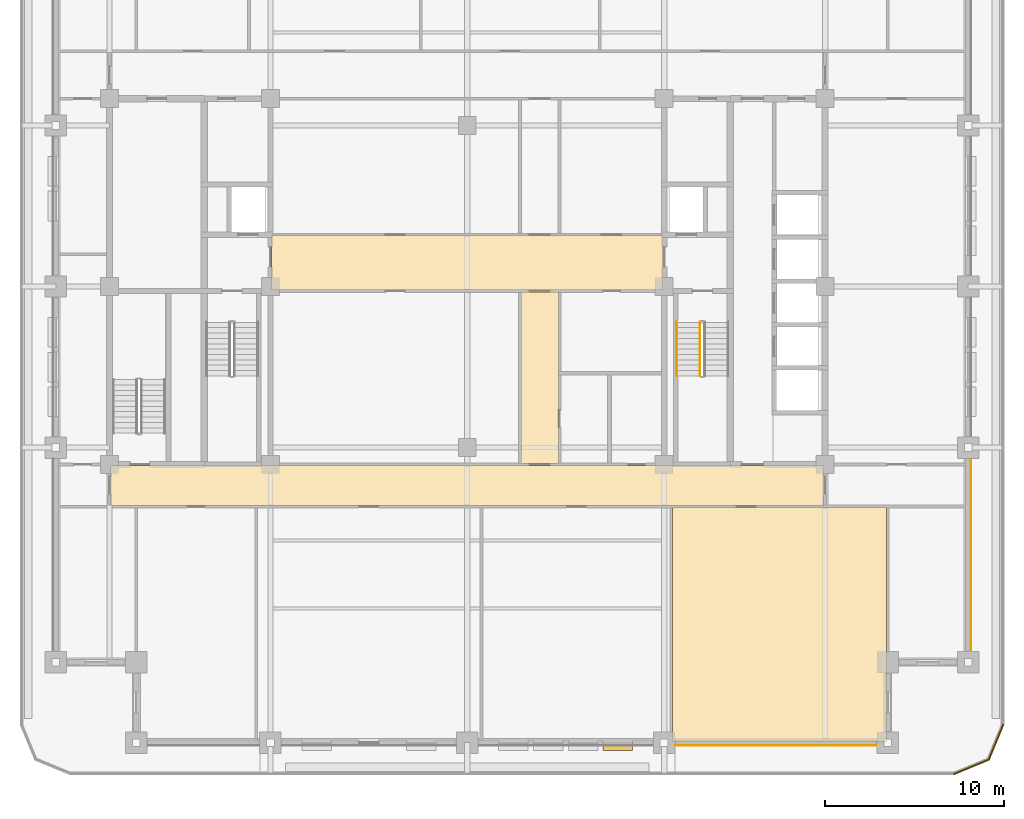
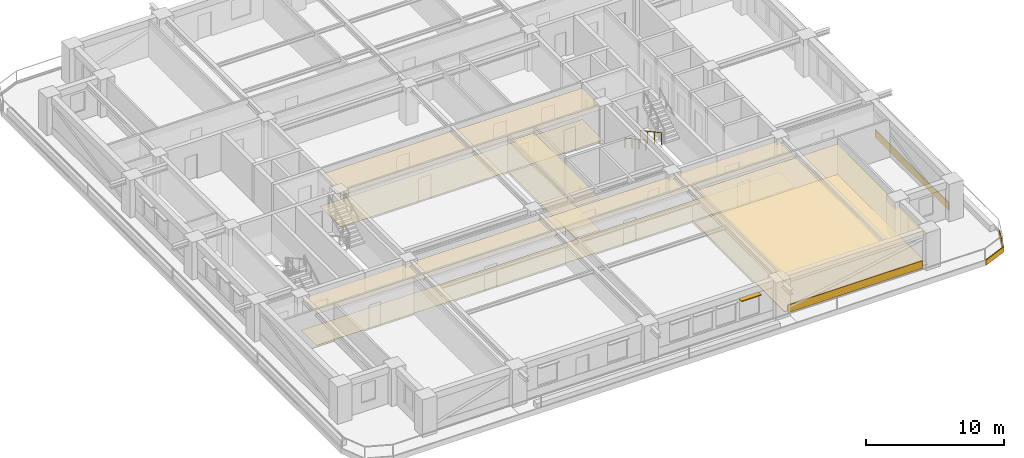
# One storey, part 11 of 13: 12 coverings, 2 railings, 1 shading device.
"""IFC4 building model written with IfcOpenShell, lengths in metres."""

import ifcopenshell
import ifcopenshell.guid

model = None  # the IFC model being written
_history = None  # IfcOwnerHistory: only IFC2X3 demands one
_inside = {}  # id of a spatial element -> (the spatial element, [elements in it])
_under = {}  # id of a project, library or spatial element -> (it, [spatial elements below it])
_declared = {}  # id of a project -> (the project, [libraries it declares])
_typed = {}  # id of a type object -> (the type object, [elements of that type])
_made_of = {}  # id of a material, layer set ... -> (it, [elements and type objects made of it])


def new_model(schema):
    """Start an empty IFC model of exactly this schema.

    Asked for "IFC4X3", IfcOpenShell would pick the latest addendum, in which some entities
    have other attributes; the version numbers below select the first issue.
    IFC2X3 requires an IfcOwnerHistory on every rooted entity: one is made here for all.
    """
    global model, _history
    if schema == "IFC4X3":
        model = ifcopenshell.file(schema_version=(4, 3, 0, 0))
    else:
        model = ifcopenshell.file(schema=schema)
    _inside.clear()
    _under.clear()
    _declared.clear()
    _typed.clear()
    _made_of.clear()
    _history = None
    if model.schema == "IFC2X3":
        org = make("IfcOrganization", Name="unknown")
        user = make(
            "IfcPersonAndOrganization",
            ThePerson=make("IfcPerson", FamilyName="unknown"),
            TheOrganization=org,
        )
        app = make(
            "IfcApplication",
            ApplicationDeveloper=org,
            Version="unknown",
            ApplicationFullName="unknown",
            ApplicationIdentifier="unknown",
        )
        _history = make(
            "IfcOwnerHistory",
            OwningUser=user,
            OwningApplication=app,
            ChangeAction="ADDED",
            CreationDate=0,
        )
    return model


def make(cls, **values):
    """One entity of the class cls with the attributes given. An attribute that is None is left unset."""
    return model.create_entity(
        cls, **{name: value for name, value in values.items() if value is not None}
    )


def rooted(cls, **values):
    """An entity with a GlobalId (a new one), such as an element, a storey or a relation."""
    return make(cls, GlobalId=ifcopenshell.guid.new(), OwnerHistory=_history, **values)


def si_unit(unit_type, name, prefix=None):
    """IfcSIUnit, for example si_unit("LENGTHUNIT", "METRE", prefix="MILLI")."""
    return make("IfcSIUnit", UnitType=unit_type, Prefix=prefix, Name=name)


def assignment(units):
    """IfcUnitAssignment: the units of a project."""
    return None if units is None else make("IfcUnitAssignment", Units=units)


def point(xyz):
    """IfcCartesianPoint."""
    return None if xyz is None else make("IfcCartesianPoint", Coordinates=xyz)


def direction(xyz):
    """IfcDirection."""
    return None if xyz is None else make("IfcDirection", DirectionRatios=xyz)


def frame(location, z_axis=None, x_axis=None):
    """IfcAxis2Placement3D, a coordinate frame: its origin and axes. An axis left out is left unset."""
    return make(
        "IfcAxis2Placement3D",
        Location=point(location),
        Axis=direction(z_axis),
        RefDirection=direction(x_axis),
    )


def frame_2d(location, x_axis=None):
    """IfcAxis2Placement2D, a coordinate frame in the plane: its origin and x axis."""
    return make(
        "IfcAxis2Placement2D", Location=point(location), RefDirection=direction(x_axis)
    )


def origin():
    """The frame at (0, 0, 0) with its axes left unset."""
    return frame((0.0, 0.0, 0.0))


def origin_2d():
    """The frame at (0, 0) in the plane with its x axis left unset."""
    return frame_2d((0.0, 0.0))


def place(relative_to, where):
    """IfcLocalPlacement: puts the frame where relative to a parent placement (None: the world)."""
    return make(
        "IfcLocalPlacement", PlacementRelTo=relative_to, RelativePlacement=where
    )


def context(
    kind, dimensions, precision=None, world=None, true_north=None, identifier=None
):
    """IfcGeometricRepresentationContext, for example the 3D "Model" context."""
    return make(
        "IfcGeometricRepresentationContext",
        ContextIdentifier=identifier,
        ContextType=kind,
        CoordinateSpaceDimension=dimensions,
        Precision=precision,
        WorldCoordinateSystem=world,
        TrueNorth=true_north,
    )


def subcontext(parent, identifier, kind, view, scale=None):
    """IfcGeometricRepresentationSubContext, for example "Body" below "Model"."""
    return make(
        "IfcGeometricRepresentationSubContext",
        ContextIdentifier=identifier,
        ContextType=kind,
        ParentContext=parent,
        TargetScale=scale,
        TargetView=view,
    )


def project(units=None, contexts=None):
    """IfcProject with its units and contexts."""
    return rooted(
        "IfcProject",
        Name="project",
        RepresentationContexts=contexts,
        UnitsInContext=assignment(units),
    )


def spatial(cls, under=None, at=None, **own):
    """A site, building, storey or space (cls), placed at a placement, below another one or the project."""
    s = rooted(cls, ObjectPlacement=at, **own)
    if under is not None:
        _under.setdefault(under.id(), (under, []))[1].append(s)
    return s


def polyline(points):
    """IfcPolyline through the points."""
    return make("IfcPolyline", Points=[point(p) for p in points])


def profile(cls, at=None, kind="AREA", **sizes):
    """A parametric profile (cls). Its sizes go by their IFC names, for example OverallWidth=200.0."""
    return make(cls, ProfileType=kind, Position=at, **sizes)


def rectangle(**sizes):
    """IfcRectangleProfileDef."""
    return profile("IfcRectangleProfileDef", **sizes)


def outline(outer, holes=None, kind="AREA"):
    """IfcArbitraryClosedProfileDef: a profile drawn as a closed curve; with holes, ...WithVoids."""
    if holes is None:
        return make("IfcArbitraryClosedProfileDef", ProfileType=kind, OuterCurve=outer)
    return make(
        "IfcArbitraryProfileDefWithVoids",
        ProfileType=kind,
        OuterCurve=outer,
        InnerCurves=holes,
    )


def extrude(swept, where, along, depth):
    """IfcExtrudedAreaSolid: the profile swept, set in the frame where, extruded along a direction by depth."""
    return make(
        "IfcExtrudedAreaSolid",
        SweptArea=swept,
        Position=where,
        ExtrudedDirection=direction(along),
        Depth=depth,
    )


def shape(context_of_items, identifier, shape_type, items):
    """IfcShapeRepresentation: the items that make up one representation, for example the "Body"."""
    return make(
        "IfcShapeRepresentation",
        ContextOfItems=context_of_items,
        RepresentationIdentifier=identifier,
        RepresentationType=shape_type,
        Items=items,
    )


def material(Name=None, Category=None):
    """IfcMaterial."""
    return make("IfcMaterial", Name=Name, Category=Category)


def layer(
    of_material, thickness, ventilated=None, Name=None, Category=None, Priority=None
):
    """IfcMaterialLayer: one layer of a wall or slab, of a material (None: an air gap)."""
    return make(
        "IfcMaterialLayer",
        Material=of_material,
        LayerThickness=thickness,
        IsVentilated=ventilated,
        Name=Name,
        Category=Category,
        Priority=Priority,
    )


def layer_set(layers, Name=None):
    """IfcMaterialLayerSet."""
    return make("IfcMaterialLayerSet", MaterialLayers=layers, LayerSetName=Name)


def made_of(thing, what):
    """Note that an element or type object is made of a material, layer set ...; save() writes the relation."""
    if what is not None:
        _made_of.setdefault(what.id(), (what, []))[1].append(thing)
    return thing


def type_object(cls, material=None, **own):
    """A type object (cls), such as IfcWallType, which elements share."""
    return made_of(rooted(cls, **own), material)


def element(
    cls,
    number,
    at=None,
    inside=None,
    cuts=None,
    type_object=None,
    material=None,
    context=None,
    identifier="Body",
    shape_type=None,
    held_by="IfcProductDefinitionShape",
    body=None,
    shapes=None,
    **own,
):
    """One element of the class cls, such as IfcWall. Its Tag is "e" and its number.

    at: its placement. inside: the storey or other place that contains it. cuts: it is an
    opening in that element (IfcRelVoidsElement). A single representation is given by context,
    identifier, shape_type and body (its items); several are given by shapes. held_by: the class
    of the entity that holds the representations. save() writes the other relations.
    """
    e = rooted(cls, Tag="e%d" % number, ObjectPlacement=at, **own)
    if body is not None:
        shapes = [shape(context, identifier, shape_type, body)]
    if shapes is not None:
        e.Representation = make(held_by, Representations=shapes)
    if inside is not None:
        _inside.setdefault(inside.id(), (inside, []))[1].append(e)
    if cuts is not None:
        rooted(
            "IfcRelVoidsElement", RelatingBuildingElement=cuts, RelatedOpeningElement=e
        )
    if type_object is not None:
        _typed.setdefault(type_object.id(), (type_object, []))[1].append(e)
    return made_of(e, material)


def aggregate(whole, parts):
    """IfcRelAggregates: a whole, such as a stair, and the parts it consists of."""
    return rooted("IfcRelAggregates", RelatingObject=whole, RelatedObjects=parts)


def save(model, path):
    """Write the relations noted so far, then the file.

    IfcRelAggregates (storeys below a building ...), IfcRelContainedInSpatialStructure (elements
    in a storey), IfcRelDefinesByType, IfcRelAssociatesMaterial and IfcRelDeclares: one each for
    every whole, place, type object, material and project.
    """
    for whole, parts in _under.values():
        aggregate(whole, parts)
    for where, things in _inside.values():
        rooted(
            "IfcRelContainedInSpatialStructure",
            RelatedElements=things,
            RelatingStructure=where,
        )
    for kind, things in _typed.values():
        rooted("IfcRelDefinesByType", RelatedObjects=things, RelatingType=kind)
    for what, things in _made_of.values():
        rooted("IfcRelAssociatesMaterial", RelatedObjects=things, RelatingMaterial=what)
    for by, libraries in _declared.values():
        rooted("IfcRelDeclares", RelatingContext=by, RelatedDefinitions=libraries)
    model.write(path)


model = new_model("IFC4")

# Units and contexts
model_context = context("Model", 3, precision=1e-05, world=origin(), true_north=direction((0.0, 1.0)))
body_context = subcontext(model_context, "Body", "Model", "MODEL_VIEW")
ifc_project = project(units=[si_unit("LENGTHUNIT", "METRE"), si_unit("AREAUNIT", "SQUARE_METRE"), si_unit("VOLUMEUNIT", "CUBIC_METRE"), si_unit("PLANEANGLEUNIT", "RADIAN"), si_unit("MASSUNIT", "GRAM", prefix="KILO")], contexts=[model_context])

# Site, building, storey
site_placement = place(None, origin())
site = spatial("IfcSite", under=ifc_project, at=site_placement, CompositionType="ELEMENT")
building_placement = place(site_placement, origin())
building = spatial("IfcBuilding", under=site, at=building_placement, Name="Zulmaris Gate Convention Tower", CompositionType="ELEMENT")
storey_placement = place(building_placement, frame((0.0, 0.0, 105.639892578125)))
storey = spatial("IfcBuildingStorey", under=building, at=storey_placement, Name="L26", CompositionType="ELEMENT", Elevation=105.639892578125)

# Coverings
ifc_material_1 = material(Name="Precast concrete C40/50", Category="concrete")
ifc_layer_1 = layer(ifc_material_1, 0.0400390625, Name="Precast concrete C40/50")
ifc_layer_set_1 = layer_set([ifc_layer_1], Name="Precast concrete C40/50")
covering_type_1 = type_object("IfcCoveringType", Name="CLAD-SPANDREL-PRECAST", PredefinedType="CLADDING", material=ifc_layer_set_1)
covering_1_placement = place(storey_placement, frame((11.6298828125, -25.64990234375, 0.0), z_axis=(0.0, 0.0, 1.0), x_axis=(1.0, 0.0, 0.0)))
element("IfcCovering", 1, at=covering_1_placement, inside=storey, type_object=covering_type_1, Name="CLD-L26-S-3_0", PredefinedType="CLADDING", context=body_context, shape_type="SweptSolid", body=[
    extrude(rectangle(XDim=11.240234375, YDim=0.0400390625, at=frame_2d((5.6201171875, 0.0))), origin(), (0.0, 0.0, 1.0), 0.679931640625),
])
covering_2_placement = place(storey_placement, frame((28.14990234375, -20.3701171875, 0.0), z_axis=(0.0, 0.0, 1.0), x_axis=(0.0, 1.0, 0.0)))
element("IfcCovering", 2, at=covering_2_placement, inside=storey, type_object=covering_type_1, Name="CLD-L26-E-0_0", PredefinedType="CLADDING", context=body_context, shape_type="SweptSolid", body=[
    extrude(rectangle(XDim=10.740234375, YDim=0.0400390625, at=frame_2d((5.3701171875, 0.0))), origin(), (0.0, 0.0, 1.0), 0.679931640625),
])
ifc_material_2 = material(Name="White Glazed Architectural Precast Concrete C40/50", Category="concrete")
ifc_layer_2 = layer(ifc_material_2, 0.080078125, Name="White Glazed Architectural Precast Concrete C40/50")
ifc_layer_set_2 = layer_set([ifc_layer_2], Name="White Glazed Architectural Precast Concrete C40/50")
covering_type_2 = type_object("IfcCoveringType", Name="CLAD-TRAY-FASCIA", PredefinedType="CLADDING", material=ifc_layer_set_2)
covering_3_placement = place(storey_placement, frame((27.184814453125, -27.262939453125, -0.2900390625), z_axis=(0.0, 0.0, 1.0), x_axis=(0.923873803533, 0.382697263049, 0.0)))
element("IfcCovering", 3, at=covering_3_placement, inside=storey, type_object=covering_type_2, Name="FSC-L26-TR-03", PredefinedType="CLADDING", context=body_context, shape_type="SweptSolid", body=[
    extrude(rectangle(XDim=2.142822265625, YDim=0.080078125, at=frame_2d((1.0712890625, 0.0))), origin(), (0.0, 0.0, 1.0), 0.4599609375),
])
covering_4_placement = place(storey_placement, frame((29.142822265625, -26.464599609375, -0.2900390625), z_axis=(0.0, 0.0, 1.0), x_axis=(0.382656984709, 0.923890487046, 0.0)))
element("IfcCovering", 4, at=covering_4_placement, inside=storey, type_object=covering_type_2, Name="FSC-L26-TR-04", PredefinedType="CLADDING", context=body_context, shape_type="SweptSolid", body=[
    extrude(rectangle(XDim=2.14306640625, YDim=0.080078125, at=frame_2d((1.071533203125, 0.0))), origin(), (0.0, 0.0, 1.0), 0.4599609375),
])
ifc_material_3 = material(Name="Mineral Fibre Acoustic Ceiling Tile")
ifc_layer_3 = layer(ifc_material_3, 0.02001953125, Name="Mineral Fibre Acoustic Ceiling Tile")
ifc_layer_set_3 = layer_set([ifc_layer_3], Name="Mineral Fibre Acoustic Ceiling Tile")
covering_type_3 = type_object("IfcCoveringType", Name="CLG-ACOUSTIC-600", PredefinedType="CEILING", material=ifc_layer_set_3)
covering_5_placement = place(storey_placement, frame((0.0, 0.0, 2.778076171875)))
element("IfcCovering", 5, at=covering_5_placement, inside=storey, type_object=covering_type_3, Name="CLG-L26-R26", PredefinedType="CEILING", context=body_context, shape_type="SweptSolid", body=[
    extrude(outline(polyline([(-19.93994140625, -12.239990234375), (19.93994140625, -12.239990234375), (19.93994140625, -10.010009765625), (-19.93994140625, -10.010009765625), (-19.93994140625, -12.239990234375)])), origin(), (0.0, 0.0, 1.0), 0.02001953125),
])
covering_6_placement = place(storey_placement, frame((0.0, 0.0, 2.778076171875)))
element("IfcCovering", 6, at=covering_6_placement, inside=storey, type_object=covering_type_3, Name="CLG-L26-R27", PredefinedType="CEILING", context=body_context, shape_type="SweptSolid", body=[
    extrude(outline(polyline([(-10.93994140625, -0.18994140625), (10.93994140625, -0.18994140625), (10.93994140625, 2.840087890625), (-10.93994140625, 2.840087890625), (-10.93994140625, -0.18994140625)])), origin(), (0.0, 0.0, 1.0), 0.02001953125),
])
covering_7_placement = place(storey_placement, frame((0.0, 0.0, 2.778076171875)))
element("IfcCovering", 7, at=covering_7_placement, inside=storey, type_object=covering_type_3, Name="CLG-L26-R29", PredefinedType="CEILING", context=body_context, shape_type="SweptSolid", body=[
    extrude(outline(polyline([(3.010009765625, -9.889892578125), (5.090087890625, -9.889892578125), (5.090087890625, -0.31005859375), (3.010009765625, -0.31005859375), (3.010009765625, -9.889892578125)])), origin(), (0.0, 0.0, 1.0), 0.02001953125),
])
covering_8_placement = place(storey_placement, frame((0.0, 0.0, 2.68017578125)))
element("IfcCovering", 8, at=covering_8_placement, inside=storey, type_object=covering_type_3, Name="CLG-L26-R37", PredefinedType="CEILING", context=body_context, shape_type="SweptSolid", body=[
    extrude(outline(polyline([(11.4599609375, -25.43994140625), (23.43994140625, -25.43994140625), (23.43994140625, -12.360107421875), (11.4599609375, -12.360107421875), (11.4599609375, -25.43994140625)])), origin(), (0.0, 0.0, 1.0), 0.02001953125),
])
ifc_material_4 = material(Name="Woven Acoustic Wool Carpet Tile")
ifc_layer_4 = layer(ifc_material_4, 0.02001953125, Name="Woven Acoustic Wool Carpet Tile")
ifc_layer_set_4 = layer_set([ifc_layer_4], Name="Woven Acoustic Wool Carpet Tile")
covering_type_4 = type_object("IfcCoveringType", Name="FLR-CARPET-12", PredefinedType="FLOORING", material=ifc_layer_set_4)
covering_9_placement = place(storey_placement, origin())
element("IfcCovering", 9, at=covering_9_placement, inside=storey, type_object=covering_type_4, Name="FLR-L26-R26", PredefinedType="FLOORING", context=body_context, shape_type="SweptSolid", body=[
    extrude(outline(polyline([(-19.93994140625, -12.239990234375), (19.93994140625, -12.239990234375), (19.93994140625, -10.010009765625), (-19.93994140625, -10.010009765625), (-19.93994140625, -12.239990234375)])), origin(), (0.0, 0.0, 1.0), 0.02001953125),
])
covering_10_placement = place(storey_placement, origin())
element("IfcCovering", 10, at=covering_10_placement, inside=storey, type_object=covering_type_4, Name="FLR-L26-R27", PredefinedType="FLOORING", context=body_context, shape_type="SweptSolid", body=[
    extrude(outline(polyline([(-10.93994140625, -0.18994140625), (10.93994140625, -0.18994140625), (10.93994140625, 2.840087890625), (-10.93994140625, 2.840087890625), (-10.93994140625, -0.18994140625)])), origin(), (0.0, 0.0, 1.0), 0.02001953125),
])
covering_11_placement = place(storey_placement, origin())
element("IfcCovering", 11, at=covering_11_placement, inside=storey, type_object=covering_type_4, Name="FLR-L26-R29", PredefinedType="FLOORING", context=body_context, shape_type="SweptSolid", body=[
    extrude(outline(polyline([(3.010009765625, -9.889892578125), (5.090087890625, -9.889892578125), (5.090087890625, -0.31005859375), (3.010009765625, -0.31005859375), (3.010009765625, -9.889892578125)])), origin(), (0.0, 0.0, 1.0), 0.02001953125),
])
covering_12_placement = place(storey_placement, origin())
element("IfcCovering", 12, at=covering_12_placement, inside=storey, type_object=covering_type_4, Name="FLR-L26-R37", PredefinedType="FLOORING", context=body_context, shape_type="SweptSolid", body=[
    extrude(outline(polyline([(11.4599609375, -25.43994140625), (23.43994140625, -25.43994140625), (23.43994140625, -12.360107421875), (11.4599609375, -12.360107421875), (11.4599609375, -25.43994140625)])), origin(), (0.0, 0.0, 1.0), 0.02001953125),
])

# Railings
ifc_material_5 = material(Name="Painted Galvanised Steel", Category="steel")
railing_type_1 = type_object("IfcRailingType", Name="RL-STG-1150", PredefinedType="GUARDRAIL", material=ifc_material_5)
railing_1_placement = place(storey_placement, frame((13.010009765625, -2.0, 0.162353515625)))
element("IfcRailing", 13, at=railing_1_placement, inside=storey, type_object=railing_type_1, Name="L26 ST-2 stair guard 1", PredefinedType="GUARDRAIL", context=body_context, shape_type="SweptSolid", body=[
    extrude(rectangle(XDim=0.048095703125, YDim=0.048095703125, at=origin_2d()), frame((0.0, 0.0, 1.076171875), z_axis=(0.0, -0.8795616155, 0.475784998228), x_axis=(1.0, 0.0, 0.0)), (0.0, 0.0, 1.0), 3.410888671875),
    extrude(rectangle(XDim=0.0419921875, YDim=0.0419921875, at=origin_2d()), origin(), (0.0, 0.0, 1.0), 1.052001953125),
    extrude(rectangle(XDim=0.0419921875, YDim=0.0419921875, at=origin_2d()), frame((0.0, -1.0, 0.541015625)), (0.0, 0.0, 1.0), 1.052001953125),
    extrude(rectangle(XDim=0.0419921875, YDim=0.0419921875, at=origin_2d()), frame((0.0, -2.0, 1.081787109375)), (0.0, 0.0, 1.0), 1.052001953125),
    extrude(rectangle(XDim=0.0419921875, YDim=0.0419921875, at=origin_2d()), frame((0.0, -3.0, 1.622802734375)), (0.0, 0.0, 1.0), 1.052001953125),
])
ifc_material_6 = material(Name="Brushed Stainless Steel", Category="steel")
railing_type_2 = type_object("IfcRailingType", Name="RL-STH-900", PredefinedType="HANDRAIL", material=ifc_material_6)
railing_2_placement = place(storey_placement, frame((11.7099609375, -2.0, 0.162353515625)))
element("IfcRailing", 14, at=railing_2_placement, inside=storey, type_object=railing_type_2, Name="L26 ST-2 stair handrail 1", PredefinedType="HANDRAIL", context=body_context, shape_type="SweptSolid", body=[
    extrude(rectangle(XDim=0.048095703125, YDim=0.048095703125, at=origin_2d()), frame((0.0, 0.0, 0.8759765625), z_axis=(0.0, -0.8795616155, 0.475784998228), x_axis=(1.0, 0.0, 0.0)), (0.0, 0.0, 1.0), 3.410888671875),
    extrude(rectangle(XDim=0.0419921875, YDim=0.0419921875, at=origin_2d()), origin(), (0.0, 0.0, 1.0), 0.851806640625),
    extrude(rectangle(XDim=0.0419921875, YDim=0.0419921875, at=origin_2d()), frame((0.0, -1.0, 0.541015625)), (0.0, 0.0, 1.0), 0.851806640625),
    extrude(rectangle(XDim=0.0419921875, YDim=0.0419921875, at=origin_2d()), frame((0.0, -2.0, 1.081787109375)), (0.0, 0.0, 1.0), 0.851806640625),
    extrude(rectangle(XDim=0.0419921875, YDim=0.0419921875, at=origin_2d()), frame((0.0, -3.0, 1.622802734375)), (0.0, 0.0, 1.0), 0.851806640625),
])

# Shading device
ifc_material_7 = material(Name="Glazed Ceramic Terracotta", Category="masonry")
ifc_layer_5 = layer(ifc_material_7, 0.070068359375, Name="Glazed Ceramic Terracotta")
ifc_layer_set_5 = layer_set([ifc_layer_5], Name="Glazed Ceramic Terracotta")
shading_device_type = type_object("IfcShadingDeviceType", Name="SHD-SUNSHADE-TC", PredefinedType="AWNING", material=ifc_layer_set_5)
shading_device_placement = place(storey_placement, frame((7.596923828125, -25.719970703125, 2.530029296875), z_axis=(0.0, 0.0, 1.0), x_axis=(1.0, 0.0, 0.0)))
element("IfcShadingDevice", 15, at=shading_device_placement, inside=storey, type_object=shading_device_type, Name="SHD-EW-L26-S-2_0-4", PredefinedType="AWNING", context=body_context, shape_type="SweptSolid", body=[
    extrude(rectangle(XDim=1.650146484375, YDim=0.43994140625, at=frame_2d((0.8251953125, 0.0))), origin(), (0.0, 0.0, 1.0), 0.070068359375),
])

save(model, "model.ifc")
